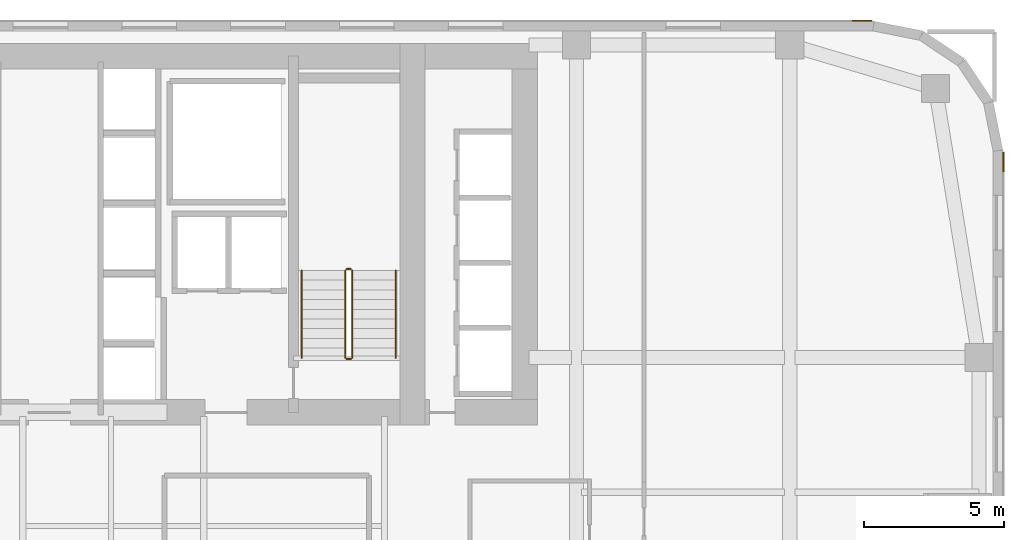
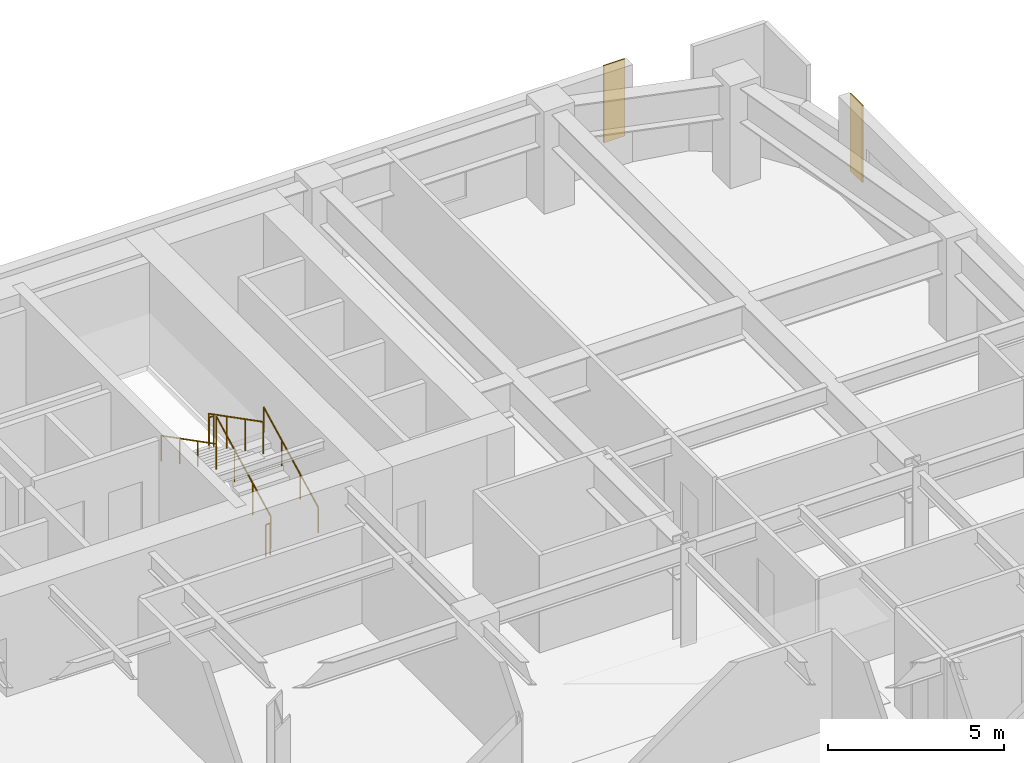
# One storey, part 24 of 24: 6 railings, 2 coverings.
"""IFC4 building model written with IfcOpenShell, lengths in metres."""

from ifc_helpers import new_model, si_unit, direction, frame, origin, origin_2d, place, context, subcontext, project, spatial, polyline, circle, outline, extrude, material, layer, layer_set, type_object, element, save


model = new_model("IFC4")

# Units and contexts
model_context = context("Model", 3, precision=1e-05, world=origin(), true_north=direction((0.0, 1.0)))
body_context = subcontext(model_context, "Body", "Model", "MODEL_VIEW")
ifc_project = project(units=[si_unit("LENGTHUNIT", "METRE"), si_unit("AREAUNIT", "SQUARE_METRE"), si_unit("VOLUMEUNIT", "CUBIC_METRE"), si_unit("PLANEANGLEUNIT", "RADIAN"), si_unit("MASSUNIT", "GRAM", prefix="KILO")], contexts=[model_context])

# Site, building, storey
site_placement = place(None, origin())
site = spatial("IfcSite", under=ifc_project, at=site_placement, CompositionType="ELEMENT")
building_placement = place(site_placement, origin())
building = spatial("IfcBuilding", under=site, at=building_placement, Name="Tolvann Quenvar Hotel", CompositionType="ELEMENT")
storey_placement = place(building_placement, frame((0.0, 0.0, 67.5)))
storey = spatial("IfcBuildingStorey", under=building, at=storey_placement, Name="L16", CompositionType="ELEMENT", Elevation=67.5)

# Coverings
ifc_material_1 = material(Name="Kiln-fired red architectural face brick cladding", Category="masonry")
ifc_layer = layer(ifc_material_1, 0.0400390625)
ifc_layer_set = layer_set([ifc_layer], Name="Kiln-fired red architectural face brick cladding")
covering_type = type_object("IfcCoveringType", Name="COV_CLAD_BRICK_40", PredefinedType="CLADDING", material=ifc_layer_set)
covering_1_placement = place(storey_placement, frame((0.0, 0.0, 0.699951171875)))
element("IfcCovering", 1, at=covering_1_placement, inside=storey, type_object=covering_type, Name="Brick Pier Cladding (L16-E13-P2)", PredefinedType="CLADDING", context=body_context, shape_type="SweptSolid", body=[
    extrude(outline(polyline([(57.0, 40.6328125), (57.0, 41.332763671875), (57.0400390625, 41.332763671875), (57.0400390625, 40.6328125), (57.0, 40.6328125)])), origin(), (0.0, 0.0, 1.0), 2.670166015625),
])
covering_2_placement = place(storey_placement, frame((0.0, 0.0, 0.699951171875)))
element("IfcCovering", 2, at=covering_2_placement, inside=storey, type_object=covering_type, Name="Brick Pier Cladding (L16-E18-P1)", PredefinedType="CLADDING", context=body_context, shape_type="SweptSolid", body=[
    extrude(outline(polyline([(52.332763671875, 46.0), (51.6328125, 46.0), (51.6328125, 46.0400390625), (52.332763671875, 46.0400390625), (52.332763671875, 46.0)])), origin(), (0.0, 0.0, 1.0), 2.670166015625),
])

# Railings
ifc_material_2 = material(Name="Brushed 316 stainless steel balustrade and handrail", Category="steel")
railing_type_1 = type_object("IfcRailingType", Name="GUARDRAIL", PredefinedType="GUARDRAIL", material=ifc_material_2)
railing_1_placement = place(storey_placement, frame((33.800048828125, 34.0, 0.177490234375)))
element("IfcRailing", 3, at=railing_1_placement, inside=storey, type_object=railing_type_1, Name="L16 ST-C2 stair guard 1", PredefinedType="GUARDRAIL", context=body_context, shape_type="SweptSolid", body=[
    extrude(circle(Radius=0.02392578125, at=origin_2d()), frame((0.0, 0.0, 1.09619140625), z_axis=(0.0, 0.889221982265, 0.45747597342), x_axis=(-1.0, 0.0, 0.0)), (0.0, 0.0, 1.0), 3.49169921875),
    extrude(circle(Radius=0.02099609375, at=origin_2d()), origin(), (0.0, 0.0, 1.0), 1.072021484375),
    extrude(circle(Radius=0.02099609375, at=origin_2d()), frame((0.0, 1.034912109375, 0.532470703125)), (0.0, 0.0, 1.0), 1.072021484375),
    extrude(circle(Radius=0.02099609375, at=origin_2d()), frame((0.0, 2.070068359375, 1.06494140625)), (0.0, 0.0, 1.0), 1.072021484375),
    extrude(circle(Radius=0.02099609375, at=origin_2d()), frame((0.0, 3.10498046875, 1.597412109375)), (0.0, 0.0, 1.0), 1.072021484375),
])
railing_2_placement = place(storey_placement, frame((33.75, 37.155029296875, 1.77490234375)))
element("IfcRailing", 4, at=railing_2_placement, inside=storey, type_object=railing_type_1, Name="L16 ST-C2 stair guard 2", PredefinedType="GUARDRAIL", context=body_context, shape_type="SweptSolid", body=[
    extrude(circle(Radius=0.02392578125, at=origin_2d()), frame((0.0, 0.0, 1.09619140625), z_axis=(-1.0, 0.0, 0.0), x_axis=(0.0, -1.0, 0.0)), (0.0, 0.0, 1.0), 0.14990234375),
    extrude(circle(Radius=0.02099609375, at=origin_2d()), origin(), (0.0, 0.0, 1.0), 1.072021484375),
    extrude(circle(Radius=0.02099609375, at=origin_2d()), frame((-0.14990234375, 0.0, 0.0)), (0.0, 0.0, 1.0), 1.072021484375),
])
railing_3_placement = place(storey_placement, frame((33.550048828125, 37.10498046875, 1.952392578125)))
element("IfcRailing", 5, at=railing_3_placement, inside=storey, type_object=railing_type_1, Name="L16 ST-C2 stair guard 3", PredefinedType="GUARDRAIL", context=body_context, shape_type="SweptSolid", body=[
    extrude(circle(Radius=0.02392578125, at=origin_2d()), frame((0.0, 0.0, 1.09619140625), z_axis=(0.0, -0.88919353882, 0.457531256332), x_axis=(1.0, 0.0, 0.0)), (0.0, 0.0, 1.0), 3.491943359375),
    extrude(circle(Radius=0.02099609375, at=origin_2d()), origin(), (0.0, 0.0, 1.0), 1.072021484375),
    extrude(circle(Radius=0.02099609375, at=origin_2d()), frame((0.0, -1.034912109375, 0.532470703125)), (0.0, 0.0, 1.0), 1.072021484375),
    extrude(circle(Radius=0.02099609375, at=origin_2d()), frame((0.0, -2.070068359375, 1.065185546875)), (0.0, 0.0, 1.0), 1.072021484375),
    extrude(circle(Radius=0.02099609375, at=origin_2d()), frame((0.0, -3.10498046875, 1.59765625)), (0.0, 0.0, 1.0), 1.072021484375),
])
railing_4_placement = place(storey_placement, frame((33.75, 33.949951171875, 0.0)))
element("IfcRailing", 6, at=railing_4_placement, inside=storey, type_object=railing_type_1, Name="L16 ST-C2 stair guard 4", PredefinedType="GUARDRAIL", context=body_context, shape_type="SweptSolid", body=[
    extrude(circle(Radius=0.02392578125, at=origin_2d()), frame((0.0, 0.0, 1.09619140625), z_axis=(-1.0, 0.0, 0.0), x_axis=(0.0, -1.0, 0.0)), (0.0, 0.0, 1.0), 0.14990234375),
    extrude(circle(Radius=0.02099609375, at=origin_2d()), origin(), (0.0, 0.0, 1.0), 1.072021484375),
    extrude(circle(Radius=0.02099609375, at=origin_2d()), frame((-0.14990234375, 0.0, 0.0)), (0.0, 0.0, 1.0), 1.072021484375),
])
railing_type_2 = type_object("IfcRailingType", Name="HANDRAIL", PredefinedType="HANDRAIL", material=ifc_material_2)
railing_5_placement = place(storey_placement, frame((35.35009765625, 34.0, 0.177490234375)))
element("IfcRailing", 7, at=railing_5_placement, inside=storey, type_object=railing_type_2, Name="L16 ST-C2 stair handrail 1", PredefinedType="HANDRAIL", context=body_context, shape_type="SweptSolid", body=[
    extrude(circle(Radius=0.02392578125, at=origin_2d()), frame((0.0, 0.0, 0.8759765625), z_axis=(0.0, 0.889221982265, 0.45747597342), x_axis=(-1.0, 0.0, 0.0)), (0.0, 0.0, 1.0), 3.49169921875),
    extrude(circle(Radius=0.02099609375, at=origin_2d()), origin(), (0.0, 0.0, 1.0), 0.851806640625),
    extrude(circle(Radius=0.02099609375, at=origin_2d()), frame((0.0, 1.034912109375, 0.532470703125)), (0.0, 0.0, 1.0), 0.851806640625),
    extrude(circle(Radius=0.02099609375, at=origin_2d()), frame((0.0, 2.070068359375, 1.06494140625)), (0.0, 0.0, 1.0), 0.851806640625),
    extrude(circle(Radius=0.02099609375, at=origin_2d()), frame((0.0, 3.10498046875, 1.597412109375)), (0.0, 0.0, 1.0), 0.851806640625),
])
railing_6_placement = place(storey_placement, frame((32.0, 37.10498046875, 1.952392578125)))
element("IfcRailing", 8, at=railing_6_placement, inside=storey, type_object=railing_type_2, Name="L16 ST-C2 stair handrail 2", PredefinedType="HANDRAIL", context=body_context, shape_type="SweptSolid", body=[
    extrude(circle(Radius=0.02392578125, at=origin_2d()), frame((0.0, 0.0, 0.8759765625), z_axis=(0.0, -0.88919353882, 0.457531256332), x_axis=(1.0, 0.0, 0.0)), (0.0, 0.0, 1.0), 3.491943359375),
    extrude(circle(Radius=0.02099609375, at=origin_2d()), origin(), (0.0, 0.0, 1.0), 0.851806640625),
    extrude(circle(Radius=0.02099609375, at=origin_2d()), frame((0.0, -1.034912109375, 0.532470703125)), (0.0, 0.0, 1.0), 0.851806640625),
    extrude(circle(Radius=0.02099609375, at=origin_2d()), frame((0.0, -2.070068359375, 1.065185546875)), (0.0, 0.0, 1.0), 0.851806640625),
    extrude(circle(Radius=0.02099609375, at=origin_2d()), frame((0.0, -3.10498046875, 1.59765625)), (0.0, 0.0, 1.0), 0.851806640625),
])

save(model, "model.ifc")
